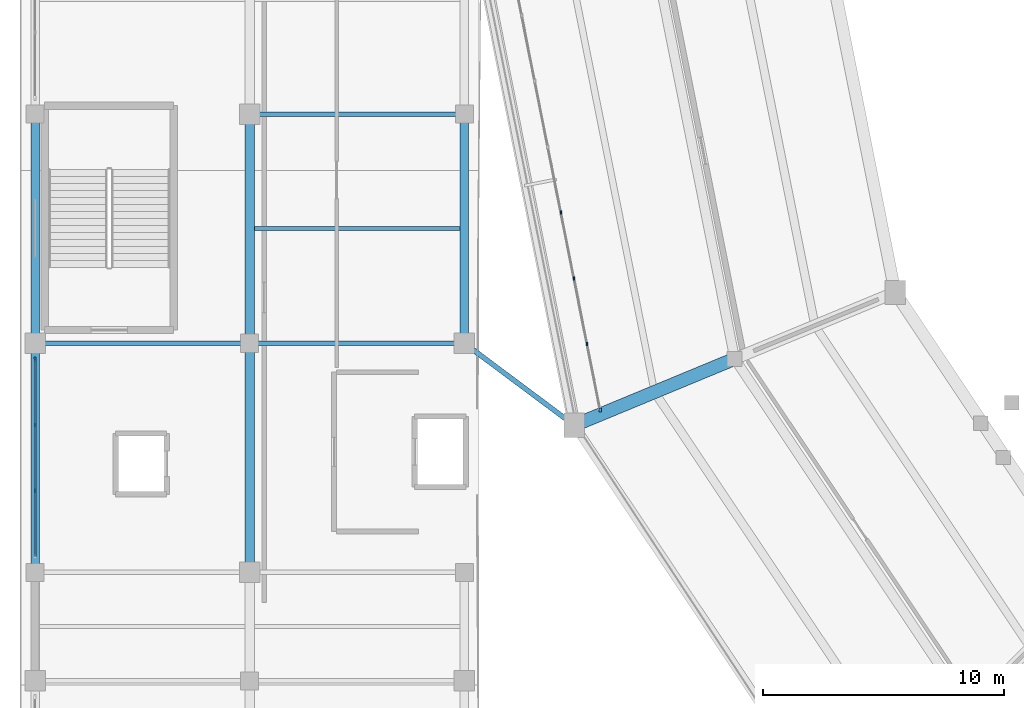
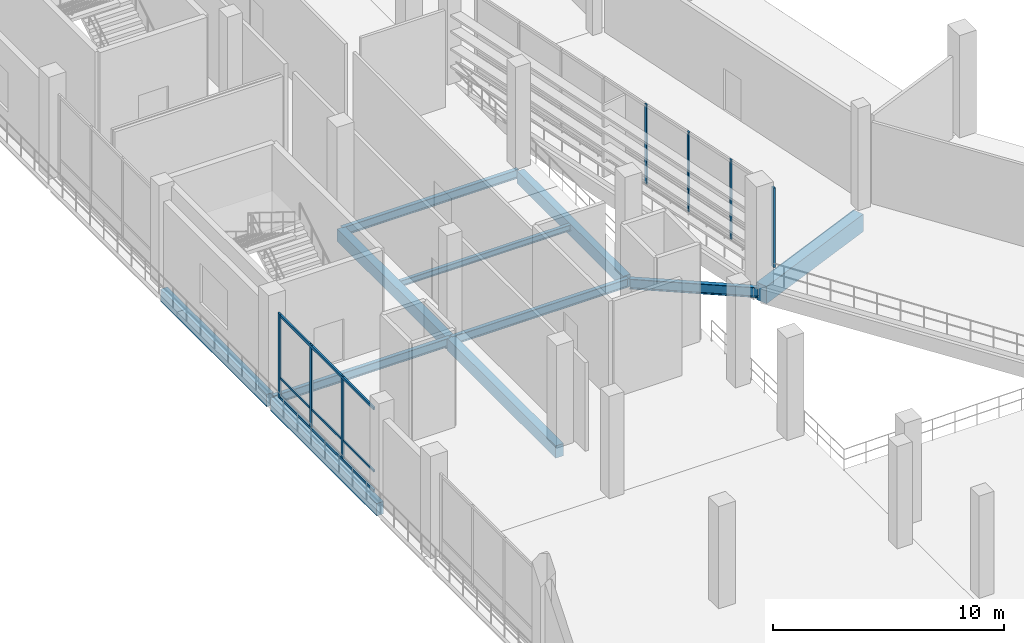
# One storey, part 18 of 114: 11 beams, 10 members, 2 elements without a shape of their own.
"""IFC4 building model written with IfcOpenShell, lengths in metres."""

import ifcopenshell
import ifcopenshell.guid

model = None  # the IFC model being written
_history = None  # IfcOwnerHistory: only IFC2X3 demands one
_inside = {}  # id of a spatial element -> (the spatial element, [elements in it])
_under = {}  # id of a project, library or spatial element -> (it, [spatial elements below it])
_declared = {}  # id of a project -> (the project, [libraries it declares])
_typed = {}  # id of a type object -> (the type object, [elements of that type])
_made_of = {}  # id of a material, layer set ... -> (it, [elements and type objects made of it])


def new_model(schema):
    """Start an empty IFC model of exactly this schema.

    Asked for "IFC4X3", IfcOpenShell would pick the latest addendum, in which some entities
    have other attributes; the version numbers below select the first issue.
    IFC2X3 requires an IfcOwnerHistory on every rooted entity: one is made here for all.
    """
    global model, _history
    if schema == "IFC4X3":
        model = ifcopenshell.file(schema_version=(4, 3, 0, 0))
    else:
        model = ifcopenshell.file(schema=schema)
    _inside.clear()
    _under.clear()
    _declared.clear()
    _typed.clear()
    _made_of.clear()
    _history = None
    if model.schema == "IFC2X3":
        org = make("IfcOrganization", Name="unknown")
        user = make(
            "IfcPersonAndOrganization",
            ThePerson=make("IfcPerson", FamilyName="unknown"),
            TheOrganization=org,
        )
        app = make(
            "IfcApplication",
            ApplicationDeveloper=org,
            Version="unknown",
            ApplicationFullName="unknown",
            ApplicationIdentifier="unknown",
        )
        _history = make(
            "IfcOwnerHistory",
            OwningUser=user,
            OwningApplication=app,
            ChangeAction="ADDED",
            CreationDate=0,
        )
    return model


def make(cls, **values):
    """One entity of the class cls with the attributes given. An attribute that is None is left unset."""
    return model.create_entity(
        cls, **{name: value for name, value in values.items() if value is not None}
    )


def rooted(cls, **values):
    """An entity with a GlobalId (a new one), such as an element, a storey or a relation."""
    return make(cls, GlobalId=ifcopenshell.guid.new(), OwnerHistory=_history, **values)


def si_unit(unit_type, name, prefix=None):
    """IfcSIUnit, for example si_unit("LENGTHUNIT", "METRE", prefix="MILLI")."""
    return make("IfcSIUnit", UnitType=unit_type, Prefix=prefix, Name=name)


def assignment(units):
    """IfcUnitAssignment: the units of a project."""
    return None if units is None else make("IfcUnitAssignment", Units=units)


def point(xyz):
    """IfcCartesianPoint."""
    return None if xyz is None else make("IfcCartesianPoint", Coordinates=xyz)


def direction(xyz):
    """IfcDirection."""
    return None if xyz is None else make("IfcDirection", DirectionRatios=xyz)


def frame(location, z_axis=None, x_axis=None):
    """IfcAxis2Placement3D, a coordinate frame: its origin and axes. An axis left out is left unset."""
    return make(
        "IfcAxis2Placement3D",
        Location=point(location),
        Axis=direction(z_axis),
        RefDirection=direction(x_axis),
    )


def frame_2d(location, x_axis=None):
    """IfcAxis2Placement2D, a coordinate frame in the plane: its origin and x axis."""
    return make(
        "IfcAxis2Placement2D", Location=point(location), RefDirection=direction(x_axis)
    )


def origin():
    """The frame at (0, 0, 0) with its axes left unset."""
    return frame((0.0, 0.0, 0.0))


def origin_2d():
    """The frame at (0, 0) in the plane with its x axis left unset."""
    return frame_2d((0.0, 0.0))


def place(relative_to, where):
    """IfcLocalPlacement: puts the frame where relative to a parent placement (None: the world)."""
    return make(
        "IfcLocalPlacement", PlacementRelTo=relative_to, RelativePlacement=where
    )


def context(
    kind, dimensions, precision=None, world=None, true_north=None, identifier=None
):
    """IfcGeometricRepresentationContext, for example the 3D "Model" context."""
    return make(
        "IfcGeometricRepresentationContext",
        ContextIdentifier=identifier,
        ContextType=kind,
        CoordinateSpaceDimension=dimensions,
        Precision=precision,
        WorldCoordinateSystem=world,
        TrueNorth=true_north,
    )


def subcontext(parent, identifier, kind, view, scale=None):
    """IfcGeometricRepresentationSubContext, for example "Body" below "Model"."""
    return make(
        "IfcGeometricRepresentationSubContext",
        ContextIdentifier=identifier,
        ContextType=kind,
        ParentContext=parent,
        TargetScale=scale,
        TargetView=view,
    )


def project(units=None, contexts=None):
    """IfcProject with its units and contexts."""
    return rooted(
        "IfcProject",
        Name="project",
        RepresentationContexts=contexts,
        UnitsInContext=assignment(units),
    )


def spatial(cls, under=None, at=None, **own):
    """A site, building, storey or space (cls), placed at a placement, below another one or the project."""
    s = rooted(cls, ObjectPlacement=at, **own)
    if under is not None:
        _under.setdefault(under.id(), (under, []))[1].append(s)
    return s


def profile(cls, at=None, kind="AREA", **sizes):
    """A parametric profile (cls). Its sizes go by their IFC names, for example OverallWidth=200.0."""
    return make(cls, ProfileType=kind, Position=at, **sizes)


def rectangle(**sizes):
    """IfcRectangleProfileDef."""
    return profile("IfcRectangleProfileDef", **sizes)


def i_section(**sizes):
    """IfcIShapeProfileDef."""
    return profile("IfcIShapeProfileDef", **sizes)


def extrude(swept, where, along, depth):
    """IfcExtrudedAreaSolid: the profile swept, set in the frame where, extruded along a direction by depth."""
    return make(
        "IfcExtrudedAreaSolid",
        SweptArea=swept,
        Position=where,
        ExtrudedDirection=direction(along),
        Depth=depth,
    )


def shape(context_of_items, identifier, shape_type, items):
    """IfcShapeRepresentation: the items that make up one representation, for example the "Body"."""
    return make(
        "IfcShapeRepresentation",
        ContextOfItems=context_of_items,
        RepresentationIdentifier=identifier,
        RepresentationType=shape_type,
        Items=items,
    )


def material(Name=None, Category=None):
    """IfcMaterial."""
    return make("IfcMaterial", Name=Name, Category=Category)


def material_profile(
    of_material, cross_section, Name=None, Category=None, Priority=None
):
    """IfcMaterialProfile: a cross section and its material."""
    return make(
        "IfcMaterialProfile",
        Name=Name,
        Material=of_material,
        Profile=cross_section,
        Priority=Priority,
        Category=Category,
    )


def profile_set(profiles, Name=None, composite=None):
    """IfcMaterialProfileSet."""
    return make(
        "IfcMaterialProfileSet",
        Name=Name,
        MaterialProfiles=profiles,
        CompositeProfile=composite,
    )


def made_of(thing, what):
    """Note that an element or type object is made of a material, layer set ...; save() writes the relation."""
    if what is not None:
        _made_of.setdefault(what.id(), (what, []))[1].append(thing)
    return thing


def type_object(cls, material=None, **own):
    """A type object (cls), such as IfcWallType, which elements share."""
    return made_of(rooted(cls, **own), material)


def element(
    cls,
    number,
    at=None,
    inside=None,
    cuts=None,
    type_object=None,
    material=None,
    context=None,
    identifier="Body",
    shape_type=None,
    held_by="IfcProductDefinitionShape",
    body=None,
    shapes=None,
    **own,
):
    """One element of the class cls, such as IfcWall. Its Tag is "e" and its number.

    at: its placement. inside: the storey or other place that contains it. cuts: it is an
    opening in that element (IfcRelVoidsElement). A single representation is given by context,
    identifier, shape_type and body (its items); several are given by shapes. held_by: the class
    of the entity that holds the representations. save() writes the other relations.
    """
    e = rooted(cls, Tag="e%d" % number, ObjectPlacement=at, **own)
    if body is not None:
        shapes = [shape(context, identifier, shape_type, body)]
    if shapes is not None:
        e.Representation = make(held_by, Representations=shapes)
    if inside is not None:
        _inside.setdefault(inside.id(), (inside, []))[1].append(e)
    if cuts is not None:
        rooted(
            "IfcRelVoidsElement", RelatingBuildingElement=cuts, RelatedOpeningElement=e
        )
    if type_object is not None:
        _typed.setdefault(type_object.id(), (type_object, []))[1].append(e)
    return made_of(e, material)


def aggregate(whole, parts):
    """IfcRelAggregates: a whole, such as a stair, and the parts it consists of."""
    return rooted("IfcRelAggregates", RelatingObject=whole, RelatedObjects=parts)


def save(model, path):
    """Write the relations noted so far, then the file.

    IfcRelAggregates (storeys below a building ...), IfcRelContainedInSpatialStructure (elements
    in a storey), IfcRelDefinesByType, IfcRelAssociatesMaterial and IfcRelDeclares: one each for
    every whole, place, type object, material and project.
    """
    for whole, parts in _under.values():
        aggregate(whole, parts)
    for where, things in _inside.values():
        rooted(
            "IfcRelContainedInSpatialStructure",
            RelatedElements=things,
            RelatingStructure=where,
        )
    for kind, things in _typed.values():
        rooted("IfcRelDefinesByType", RelatedObjects=things, RelatingType=kind)
    for what, things in _made_of.values():
        rooted("IfcRelAssociatesMaterial", RelatedObjects=things, RelatingMaterial=what)
    for by, libraries in _declared.values():
        rooted("IfcRelDeclares", RelatingContext=by, RelatedDefinitions=libraries)
    model.write(path)


model = new_model("IFC4")

# Units and contexts
model_context = context("Model", 3, precision=1e-05, world=origin(), true_north=direction((0.0, 1.0)))
body_context = subcontext(model_context, "Body", "Model", "MODEL_VIEW")
ifc_project = project(units=[si_unit("LENGTHUNIT", "METRE"), si_unit("AREAUNIT", "SQUARE_METRE"), si_unit("VOLUMEUNIT", "CUBIC_METRE"), si_unit("PLANEANGLEUNIT", "RADIAN"), si_unit("MASSUNIT", "GRAM", prefix="KILO")], contexts=[model_context])

# Site, building, storey
site_placement = place(None, origin())
site = spatial("IfcSite", under=ifc_project, at=site_placement, CompositionType="ELEMENT")
building_placement = place(site_placement, origin())
building = spatial("IfcBuilding", under=site, at=building_placement, Name="Candeia Ridge Stadium", CompositionType="ELEMENT")
storey_placement = place(building_placement, frame((0.0, 0.0, 5.39990234375)))
storey = spatial("IfcBuildingStorey", under=building, at=storey_placement, Name="L01", CompositionType="ELEMENT", Elevation=5.39990234375)

# Curtain wall, member
ifc_material_1 = material(Name="Aluminium Anodized Warm Bronze", Category="aluminium")
curtain_wall_type_1 = type_object("IfcCurtainWallType", Name="Concourse Recessed Unitised Curtain Wall", PredefinedType="NOTDEFINED", material=ifc_material_1)
curtain_wall_1_placement = place(storey_placement, origin())
curtain_wall_1 = element("IfcCurtainWall", 1, at=curtain_wall_1_placement, inside=storey, type_object=curtain_wall_type_1, Name="Unitised curtain wall CW-BWL-L01-14", PredefinedType="NOTDEFINED")
ifc_material_profile_1 = material_profile(ifc_material_1, rectangle(XDim=0.090087890625, YDim=0.179931640625, at=origin_2d()), Name="CWM-90x180", Category="aluminium")
ifc_profile_set_1 = profile_set([ifc_material_profile_1], Name="Aluminium Anodized Warm Bronze")
member_type_1 = type_object("IfcMemberType", Name="Curtain Wall Primary Mullion 90x180", PredefinedType="MULLION", material=ifc_profile_set_1)
member_1_placement = place(storey_placement, frame((24.03173828125, 51.736083984375, 0.0), z_axis=(0.0, 0.0, 1.0), x_axis=(1.0, 0.0, 0.0)))
member_1 = element("IfcMember", 2, at=member_1_placement, type_object=member_type_1, Name="Curtain wall mullion CW-BWL-L01-14-M7", PredefinedType="MULLION", context=body_context, shape_type="SweptSolid", body=[
    extrude(rectangle(XDim=0.090087890625, YDim=0.179931640625, at=origin_2d()), origin(), (0.0, 0.0, 1.0), 4.205078125),
])

curtain_wall_type_2 = type_object("IfcCurtainWallType", Name="Cardinal Entrance Gate Tall Glazed Curtain Wall", PredefinedType="NOTDEFINED", material=ifc_material_1)
curtain_wall_2_placement = place(storey_placement, origin())
curtain_wall_2 = element("IfcCurtainWall", 3, at=curtain_wall_2_placement, inside=storey, type_object=curtain_wall_type_2, Name="Unitised curtain wall CW-WNG-L01-076", PredefinedType="NOTDEFINED")
member_2_placement = place(storey_placement, frame((0.60009765625, 53.840087890625, 0.0), z_axis=(0.0, 0.0, 1.0), x_axis=(1.0, 0.0, 0.0)))
member_2 = element("IfcMember", 4, at=member_2_placement, type_object=member_type_1, Name="Curtain wall mullion CW-WNG-L01-076-M3", PredefinedType="MULLION", context=body_context, shape_type="SweptSolid", body=[
    extrude(rectangle(XDim=0.090087890625, YDim=0.179931640625, at=origin_2d()), origin(), (0.0, 0.0, 1.0), 4.47509765625),
])

# Member
ifc_material_profile_2 = material_profile(ifc_material_1, rectangle(XDim=0.074951171875, YDim=0.14990234375, at=origin_2d()), Name="CWM-75x150", Category="aluminium")
ifc_profile_set_2 = profile_set([ifc_material_profile_2], Name="Aluminium Anodized Warm Bronze")
member_type_2 = type_object("IfcMemberType", Name="Curtain Wall Secondary Mullion 75x150", PredefinedType="MULLION", material=ifc_profile_set_2)
member_3_placement = place(storey_placement, frame((22.404541015625, 59.91650390625, 0.0), z_axis=(0.0, 0.0, 1.0), x_axis=(1.0, 0.0, 0.0)))
member_3 = element("IfcMember", 5, at=member_3_placement, type_object=member_type_2, Name="Curtain wall mullion CW-BWL-L01-14-M4", PredefinedType="MULLION", context=body_context, shape_type="SweptSolid", body=[
    extrude(rectangle(XDim=0.074951171875, YDim=0.14990234375, at=origin_2d()), origin(), (0.0, 0.0, 1.0), 4.205078125),
])

member_4_placement = place(storey_placement, frame((22.947021484375, 57.189697265625, 0.0), z_axis=(0.0, 0.0, 1.0), x_axis=(1.0, 0.0, 0.0)))
member_4 = element("IfcMember", 6, at=member_4_placement, type_object=member_type_2, Name="Curtain wall mullion CW-BWL-L01-14-M5", PredefinedType="MULLION", context=body_context, shape_type="SweptSolid", body=[
    extrude(rectangle(XDim=0.074951171875, YDim=0.14990234375, at=origin_2d()), origin(), (0.0, 0.0, 1.0), 4.205078125),
])

member_5_placement = place(storey_placement, frame((23.489501953125, 54.462890625, 0.0), z_axis=(0.0, 0.0, 1.0), x_axis=(1.0, 0.0, 0.0)))
member_5 = element("IfcMember", 7, at=member_5_placement, type_object=member_type_2, Name="Curtain wall mullion CW-BWL-L01-14-M6", PredefinedType="MULLION", context=body_context, shape_type="SweptSolid", body=[
    extrude(rectangle(XDim=0.074951171875, YDim=0.14990234375, at=origin_2d()), origin(), (0.0, 0.0, 1.0), 4.205078125),
])

aggregate(curtain_wall_1, [member_3, member_4, member_5, member_1])

member_6_placement = place(storey_placement, frame((0.60009765625, 48.38671875, 0.0), z_axis=(0.0, 0.0, 1.0), x_axis=(1.0, 0.0, 0.0)))
member_6 = element("IfcMember", 8, at=member_6_placement, type_object=member_type_2, Name="Curtain wall mullion CW-WNG-L01-076-M1", PredefinedType="MULLION", context=body_context, shape_type="SweptSolid", body=[
    extrude(rectangle(XDim=0.074951171875, YDim=0.14990234375, at=origin_2d()), origin(), (0.0, 0.0, 1.0), 4.47509765625),
])

member_7_placement = place(storey_placement, frame((0.60009765625, 51.11328125, 0.0), z_axis=(0.0, 0.0, 1.0), x_axis=(1.0, 0.0, 0.0)))
member_7 = element("IfcMember", 9, at=member_7_placement, type_object=member_type_2, Name="Curtain wall mullion CW-WNG-L01-076-M2", PredefinedType="MULLION", context=body_context, shape_type="SweptSolid", body=[
    extrude(rectangle(XDim=0.074951171875, YDim=0.14990234375, at=origin_2d()), origin(), (0.0, 0.0, 1.0), 4.47509765625),
])

ifc_material_profile_3 = material_profile(ifc_material_1, rectangle(XDim=0.074951171875, YDim=0.110107421875, at=origin_2d()), Name="CWT-75x110", Category="aluminium")
ifc_profile_set_3 = profile_set([ifc_material_profile_3], Name="Aluminium Anodized Warm Bronze")
member_type_3 = type_object("IfcMemberType", Name="Curtain Wall Secondary Transom 75x110", PredefinedType="USERDEFINED", material=ifc_profile_set_3)
member_8_placement = place(storey_placement, frame((0.60009765625, 45.659912109375, 1.10009765625), z_axis=(0.0, 1.0, 0.0), x_axis=(-1.0, 0.0, 0.0)))
member_8 = element("IfcMember", 10, at=member_8_placement, type_object=member_type_3, Name="Curtain wall transom CW-WNG-L01-076-T1", ObjectType="TRANSOM", PredefinedType="USERDEFINED", context=body_context, shape_type="SweptSolid", body=[
    extrude(rectangle(XDim=0.074951171875, YDim=0.110107421875, at=origin_2d()), origin(), (0.0, 0.0, 1.0), 8.18017578125),
])

ifc_material_profile_4 = material_profile(ifc_material_1, rectangle(XDim=0.090087890625, YDim=0.139892578125, at=origin_2d()), Name="CWT-90x140", Category="aluminium")
ifc_profile_set_4 = profile_set([ifc_material_profile_4], Name="Aluminium Anodized Warm Bronze")
member_type_4 = type_object("IfcMemberType", Name="Curtain Wall Transom 90x140", PredefinedType="USERDEFINED", material=ifc_profile_set_4)
member_9_placement = place(storey_placement, frame((0.60009765625, 45.659912109375, 0.070068359375), z_axis=(0.0, 1.0, 0.0), x_axis=(-1.0, 0.0, 0.0)))
member_9 = element("IfcMember", 11, at=member_9_placement, type_object=member_type_4, Name="Curtain wall transom CW-WNG-L01-076-T0", ObjectType="TRANSOM", PredefinedType="USERDEFINED", context=body_context, shape_type="SweptSolid", body=[
    extrude(rectangle(XDim=0.090087890625, YDim=0.139892578125, at=origin_2d()), origin(), (0.0, 0.0, 1.0), 8.18017578125),
])

member_10_placement = place(storey_placement, frame((0.60009765625, 45.659912109375, 4.405029296875), z_axis=(0.0, 1.0, 0.0), x_axis=(-1.0, 0.0, 0.0)))
member_10 = element("IfcMember", 12, at=member_10_placement, type_object=member_type_4, Name="Curtain wall transom CW-WNG-L01-076-T2", ObjectType="TRANSOM", PredefinedType="USERDEFINED", context=body_context, shape_type="SweptSolid", body=[
    extrude(rectangle(XDim=0.090087890625, YDim=0.139892578125, at=origin_2d()), origin(), (0.0, 0.0, 1.0), 8.18017578125),
])

aggregate(curtain_wall_2, [member_6, member_7, member_2, member_9, member_8, member_10])

# Beams
ifc_material_2 = material(Name="Concrete C45/55", Category="concrete")
ifc_material_profile_5 = material_profile(ifc_material_2, rectangle(XDim=0.550048828125, YDim=0.919921875, at=origin_2d()), Name="RC550x920", Category="concrete")
ifc_profile_set_5 = profile_set([ifc_material_profile_5], Name="Concrete C45/55")
beam_type_1 = type_object("IfcBeamType", Name="Frame Girder RC550x920", PredefinedType="BEAM", material=ifc_profile_set_5)
beam_1_placement = place(storey_placement, frame((29.46240234375, 53.79443359375, -0.719970703125), z_axis=(-0.923880161031, -0.382681914982, 0.0), x_axis=(0.382681914982, -0.923880161031, 0.0)))
element("IfcBeam", 13, at=beam_1_placement, inside=storey, type_object=beam_type_1, Name="Bowl radial girder BM-L01-0032", PredefinedType="BEAM", context=body_context, shape_type="SweptSolid", body=[
    extrude(rectangle(XDim=0.550048828125, YDim=0.919921875, at=origin_2d()), origin(), (0.0, 0.0, 1.0), 6.8798828125),
])
ifc_material_3 = material(Name="Steel ASTM A572 Grade 50", Category="steel")
ifc_material_profile_6 = material_profile(ifc_material_3, i_section(OverallWidth=0.208984375, OverallDepth=0.532958984375, WebThickness=0.01025390625, FlangeThickness=0.015625, FilletRadius=0.013916015625, at=origin_2d()), Name="W530x92", Category="steel")
ifc_profile_set_6 = profile_set([ifc_material_profile_6], Name="Steel ASTM A572 Grade 50")
beam_type_2 = type_object("IfcBeamType", Name="Gate Portal Girder W530x92", PredefinedType="BEAM", material=ifc_profile_set_6)
beam_2_placement = place(storey_placement, frame((18.440185546875, 54.47021484375, -0.556396484375), z_axis=(0.801601915682, -0.597858151048, 0.0), x_axis=(0.597858151048, 0.801601915682, 0.0)))
element("IfcBeam", 14, at=beam_2_placement, inside=storey, type_object=beam_type_2, Name="Wing-to-bowl tie girder BM-L01-2545", PredefinedType="BEAM", context=body_context, shape_type="SweptSolid", body=[
    extrude(i_section(OverallWidth=0.208984375, OverallDepth=0.532958984375, WebThickness=0.01025390625, FlangeThickness=0.015625, FilletRadius=0.013916015625, at=origin_2d()), origin(), (0.0, 0.0, 1.0), 5.58642578125),
])
ifc_material_profile_7 = material_profile(ifc_material_3, i_section(OverallWidth=0.1669921875, OverallDepth=0.31689453125, WebThickness=0.007568359375, FlangeThickness=0.01318359375, FilletRadius=0.011962890625, at=origin_2d()), Name="W310x52", Category="steel")
ifc_profile_set_7 = profile_set([ifc_material_profile_7], Name="Steel ASTM A572 Grade 50")
beam_type_3 = type_object("IfcBeamType", Name="Pavilion Secondary Joist W310x52", PredefinedType="JOIST", material=ifc_profile_set_7)
beam_3_placement = place(storey_placement, frame((9.699462890625, 59.25, -0.41845703125), z_axis=(1.0, 0.0, 0.0), x_axis=(0.0, 1.0, 0.0)))
element("IfcBeam", 15, at=beam_3_placement, inside=storey, type_object=beam_type_3, Name="Wing secondary joist BM-L01-1097", PredefinedType="JOIST", context=body_context, shape_type="SweptSolid", body=[
    extrude(i_section(OverallWidth=0.1669921875, OverallDepth=0.31689453125, WebThickness=0.007568359375, FlangeThickness=0.01318359375, FilletRadius=0.011962890625, at=origin_2d()), origin(), (0.0, 0.0, 1.0), 8.526123046875),
])
ifc_material_profile_8 = material_profile(ifc_material_3, i_section(OverallWidth=0.18994140625, OverallDepth=0.45703125, WebThickness=0.009033203125, FlangeThickness=0.014404296875, FilletRadius=0.012939453125, at=origin_2d()), Name="W460x74", Category="steel")
ifc_profile_set_8 = profile_set([ifc_material_profile_8], Name="Steel ASTM A572 Grade 50")
beam_type_4 = type_object("IfcBeamType", Name="Pavilion Steel Girder W460x74", PredefinedType="BEAM", material=ifc_profile_set_8)
for number, where, z_axis, x_axis, name in (
    (16, (0.64990234375, 54.5, -0.48828125), (1.0, 0.0, 0.0), (0.0, 1.0, 0.0), "Structural girder BM-L01-1078"),
    (17, (9.550048828125, 54.5, -0.48828125), (1.0, 0.0, 0.0), (0.0, 1.0, 0.0), "Structural girder BM-L01-1096"),
    (18, (9.550048828125, 64.0, -0.48828125), (1.0, 0.0, 0.0), (0.0, 1.0, 0.0), "Structural girder BM-L01-1098"),
):
    element("IfcBeam", number, at=place(storey_placement, frame(where, z_axis=z_axis, x_axis=x_axis)), inside=storey, type_object=beam_type_4, Name=name, PredefinedType="BEAM", context=body_context, shape_type="SweptSolid", body=[
        extrude(i_section(OverallWidth=0.18994140625, OverallDepth=0.45703125, WebThickness=0.009033203125, FlangeThickness=0.014404296875, FilletRadius=0.012939453125, at=origin_2d()), origin(), (0.0, 0.0, 1.0), 8.800048828125),
    ])
ifc_material_4 = material(Name="Concrete C40/50", Category="concrete")
ifc_material_profile_9 = material_profile(ifc_material_4, rectangle(XDim=0.35009765625, YDim=0.64990234375, at=origin_2d()), Name="RC350x650", Category="concrete")
ifc_profile_set_9 = profile_set([ifc_material_profile_9], Name="Concrete C40/50")
beam_type_5 = type_object("IfcBeamType", Name="Spandrel Beam RC350x650", PredefinedType="SPANDREL", material=ifc_profile_set_9)
for number, where, z_axis, x_axis, name in (
    (19, (0.60009765625, 45.159912109375, -0.5849609375), (0.0, 1.0, 0.0), (-1.0, 0.0, 0.0), "Structural girder BM-L01-1036"),
    (20, (0.60009765625, 54.659912109375, -0.5849609375), (0.0, 1.0, 0.0), (-1.0, 0.0, 0.0), "Structural girder BM-L01-1037"),
    (21, (18.39990234375, 54.659912109375, -0.5849609375), (0.0, 1.0, 0.0), (-1.0, 0.0, 0.0), "Structural girder BM-L01-1062"),
):
    element("IfcBeam", number, at=place(storey_placement, frame(where, z_axis=z_axis, x_axis=x_axis)), inside=storey, type_object=beam_type_5, Name=name, PredefinedType="SPANDREL", context=body_context, shape_type="SweptSolid", body=[
        extrude(rectangle(XDim=0.35009765625, YDim=0.64990234375, at=origin_2d()), origin(), (0.0, 0.0, 1.0), 9.18017578125),
    ])
ifc_material_profile_10 = material_profile(ifc_material_4, rectangle(XDim=0.39990234375, YDim=0.64990234375, at=origin_2d()), Name="RC400x650", Category="concrete")
ifc_profile_set_10 = profile_set([ifc_material_profile_10], Name="Concrete C40/50")
beam_type_6 = type_object("IfcBeamType", Name="Wing Primary Girder RC400x650", PredefinedType="BEAM", material=ifc_profile_set_10)
for number, where, z_axis, x_axis, name in (
    (22, (9.5, 45.050048828125, -0.5849609375), (0.0, 1.0, 0.0), (-1.0, 0.0, 0.0), "Structural girder BM-L01-1050"),
    (23, (9.5, 54.550048828125, -0.5849609375), (0.0, 1.0, 0.0), (-1.0, 0.0, 0.0), "Structural girder BM-L01-1051"),
):
    element("IfcBeam", number, at=place(storey_placement, frame(where, z_axis=z_axis, x_axis=x_axis)), inside=storey, type_object=beam_type_6, Name=name, PredefinedType="BEAM", context=body_context, shape_type="SweptSolid", body=[
        extrude(rectangle(XDim=0.39990234375, YDim=0.64990234375, at=origin_2d()), origin(), (0.0, 0.0, 1.0), 9.39990234375),
    ])

save(model, "model.ifc")
